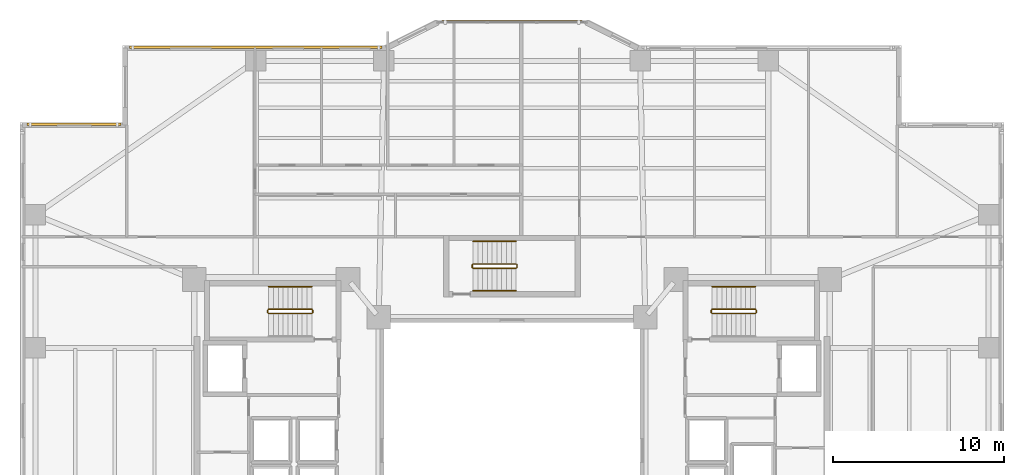
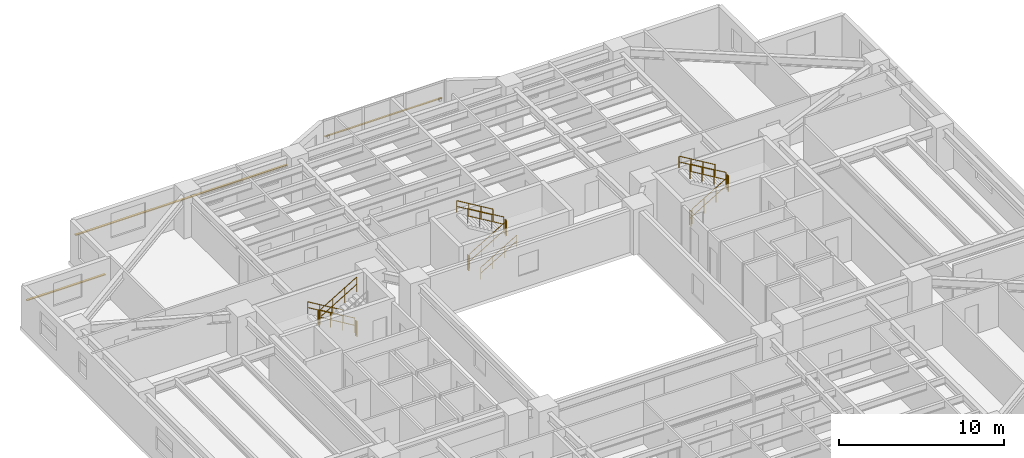
# One storey, part 18 of 19: 16 railings, 3 shading devices.
"""IFC4 building model written with IfcOpenShell, lengths in metres."""

from ifc_helpers import new_model, si_unit, direction, frame, origin, origin_2d, place, context, subcontext, project, spatial, rectangle, circle, extrude, material, material_profile, profile_set, type_object, element, save


model = new_model("IFC4")

# Units and contexts
model_context = context("Model", 3, precision=1e-05, world=origin(), true_north=direction((0.0, 1.0)))
body_context = subcontext(model_context, "Body", "Model", "MODEL_VIEW")
ifc_project = project(units=[si_unit("LENGTHUNIT", "METRE"), si_unit("AREAUNIT", "SQUARE_METRE"), si_unit("VOLUMEUNIT", "CUBIC_METRE"), si_unit("PLANEANGLEUNIT", "RADIAN"), si_unit("MASSUNIT", "GRAM", prefix="KILO")], contexts=[model_context])

# Site, building, storey
site_placement = place(None, origin())
site = spatial("IfcSite", under=ifc_project, at=site_placement, CompositionType="ELEMENT")
building_placement = place(site_placement, origin())
building = spatial("IfcBuilding", under=site, at=building_placement, Name="Tarnavaz Court Tower", CompositionType="ELEMENT")
storey_placement = place(building_placement, frame((0.0, 0.0, 54.14990234375)))
storey = spatial("IfcBuildingStorey", under=building, at=storey_placement, Name="L14", CompositionType="ELEMENT", Elevation=54.14990234375)

# Railings
ifc_material_1 = material(Name="Brushed Stainless Steel", Category="steel")
railing_type_1 = type_object("IfcRailingType", Name="RL-HANDRAIL-900", PredefinedType="HANDRAIL", material=ifc_material_1)
for number, where, name in (
    (1, (-11.719970703125, 9.590087890625, 0.16748046875), "L14 ST-W1 stair handrail 1"),
    (2, (14.239990234375, 9.590087890625, 1.842529296875), "L14 ST-E1 stair handrail 2"),
):
    element("IfcRailing", number, at=place(storey_placement, frame(where)), inside=storey, type_object=railing_type_1, Name=name, PredefinedType="HANDRAIL", context=body_context, shape_type="SweptSolid", body=[
        extrude(circle(Radius=0.02392578125, at=origin_2d()), frame((0.0, 0.0, 0.8759765625), z_axis=(-0.858159760407, 0.0, 0.513382728203), x_axis=(0.0, -1.0, 0.0)), (0.0, 0.0, 1.0), 2.9365234375),
        extrude(circle(Radius=0.02392578125, at=origin_2d()), frame((0.0, 0.0, 0.449951171875), z_axis=(-0.858159760407, 0.0, 0.513382728203), x_axis=(0.0, -1.0, 0.0)), (0.0, 0.0, 1.0), 2.9365234375),
        extrude(circle(Radius=0.02099609375, at=origin_2d()), origin(), (0.0, 0.0, 1.0), 0.851806640625),
        extrude(circle(Radius=0.02099609375, at=origin_2d()), frame((-0.840087890625, 0.0, 0.50244140625)), (0.0, 0.0, 1.0), 0.851806640625),
        extrude(circle(Radius=0.02099609375, at=origin_2d()), frame((-1.679931640625, 0.0, 1.005126953125)), (0.0, 0.0, 1.0), 0.851806640625),
        extrude(circle(Radius=0.02099609375, at=origin_2d()), frame((-2.52001953125, 0.0, 1.507568359375)), (0.0, 0.0, 1.0), 0.851806640625),
    ])
railing_1_placement = place(storey_placement, frame((-2.280029296875, 9.35009765625, 0.16748046875)))
element("IfcRailing", 3, at=railing_1_placement, inside=storey, type_object=railing_type_1, Name="L14 ST-N1 stair handrail 1", PredefinedType="HANDRAIL", context=body_context, shape_type="SweptSolid", body=[
    extrude(circle(Radius=0.02392578125, at=origin_2d()), frame((0.0, 0.0, 0.8759765625), z_axis=(0.858159760407, 0.0, 0.513382728203), x_axis=(0.0, 1.0, 0.0)), (0.0, 0.0, 1.0), 2.9365234375),
    extrude(circle(Radius=0.02392578125, at=origin_2d()), frame((0.0, 0.0, 0.449951171875), z_axis=(0.858159760407, 0.0, 0.513382728203), x_axis=(0.0, 1.0, 0.0)), (0.0, 0.0, 1.0), 2.9365234375),
    extrude(circle(Radius=0.02099609375, at=origin_2d()), origin(), (0.0, 0.0, 1.0), 0.851806640625),
    extrude(circle(Radius=0.02099609375, at=origin_2d()), frame((0.840087890625, 0.0, 0.50244140625)), (0.0, 0.0, 1.0), 0.851806640625),
    extrude(circle(Radius=0.02099609375, at=origin_2d()), frame((1.679931640625, 0.0, 1.005126953125)), (0.0, 0.0, 1.0), 0.851806640625),
    extrude(circle(Radius=0.02099609375, at=origin_2d()), frame((2.52001953125, 0.0, 1.507568359375)), (0.0, 0.0, 1.0), 0.851806640625),
])
railing_2_placement = place(storey_placement, frame((0.239990234375, 12.239990234375, 1.842529296875)))
element("IfcRailing", 4, at=railing_2_placement, inside=storey, type_object=railing_type_1, Name="L14 ST-N1 stair handrail 2", PredefinedType="HANDRAIL", context=body_context, shape_type="SweptSolid", body=[
    extrude(circle(Radius=0.02392578125, at=origin_2d()), frame((0.0, 0.0, 0.8759765625), z_axis=(-0.858159760407, 0.0, 0.513382728203), x_axis=(0.0, -1.0, 0.0)), (0.0, 0.0, 1.0), 2.9365234375),
    extrude(circle(Radius=0.02392578125, at=origin_2d()), frame((0.0, 0.0, 0.449951171875), z_axis=(-0.858159760407, 0.0, 0.513382728203), x_axis=(0.0, -1.0, 0.0)), (0.0, 0.0, 1.0), 2.9365234375),
    extrude(circle(Radius=0.02099609375, at=origin_2d()), origin(), (0.0, 0.0, 1.0), 0.851806640625),
    extrude(circle(Radius=0.02099609375, at=origin_2d()), frame((-0.840087890625, 0.0, 0.50244140625)), (0.0, 0.0, 1.0), 0.851806640625),
    extrude(circle(Radius=0.02099609375, at=origin_2d()), frame((-1.679931640625, 0.0, 1.005126953125)), (0.0, 0.0, 1.0), 0.851806640625),
    extrude(circle(Radius=0.02099609375, at=origin_2d()), frame((-2.52001953125, 0.0, 1.507568359375)), (0.0, 0.0, 1.0), 0.851806640625),
])
ifc_material_2 = material(Name="Galvanized Painted Tubular Steel", Category="steel")
railing_type_2 = type_object("IfcRailingType", Name="RL-STGUARD-1120", PredefinedType="GUARDRAIL", material=ifc_material_2)
railing_3_placement = place(storey_placement, frame((-11.719970703125, 8.27001953125, 0.16748046875)))
element("IfcRailing", 5, at=railing_3_placement, inside=storey, type_object=railing_type_2, Name="L14 ST-W1 stair guard 1", PredefinedType="GUARDRAIL", context=body_context, shape_type="SweptSolid", body=[
    extrude(circle(Radius=0.02392578125, at=origin_2d()), frame((0.0, 0.0, 1.09619140625), z_axis=(-0.858159760407, 0.0, 0.513382728203), x_axis=(0.0, -1.0, 0.0)), (0.0, 0.0, 1.0), 2.9365234375),
    extrude(circle(Radius=0.02392578125, at=origin_2d()), frame((0.0, 0.0, 0.56005859375), z_axis=(-0.858159760407, 0.0, 0.513382728203), x_axis=(0.0, -1.0, 0.0)), (0.0, 0.0, 1.0), 2.9365234375),
    extrude(circle(Radius=0.02099609375, at=origin_2d()), origin(), (0.0, 0.0, 1.0), 1.072021484375),
    extrude(circle(Radius=0.02099609375, at=origin_2d()), frame((-0.840087890625, 0.0, 0.50244140625)), (0.0, 0.0, 1.0), 1.072021484375),
    extrude(circle(Radius=0.02099609375, at=origin_2d()), frame((-1.679931640625, 0.0, 1.005126953125)), (0.0, 0.0, 1.0), 1.072021484375),
    extrude(circle(Radius=0.02099609375, at=origin_2d()), frame((-2.52001953125, 0.0, 1.507568359375)), (0.0, 0.0, 1.0), 1.072021484375),
])
railing_4_placement = place(storey_placement, frame((-14.2900390625, 8.219970703125, 1.675048828125)))
element("IfcRailing", 6, at=railing_4_placement, inside=storey, type_object=railing_type_2, Name="L14 ST-W1 stair guard 2", PredefinedType="GUARDRAIL", context=body_context, shape_type="SweptSolid", body=[
    extrude(circle(Radius=0.02392578125, at=origin_2d()), frame((0.0, 0.0, 1.09619140625), z_axis=(0.0, -1.0, 0.0), x_axis=(1.0, 0.0, 0.0)), (0.0, 0.0, 1.0), 0.14990234375),
    extrude(circle(Radius=0.02392578125, at=origin_2d()), frame((0.0, 0.0, 0.56005859375), z_axis=(0.0, -1.0, 0.0), x_axis=(1.0, 0.0, 0.0)), (0.0, 0.0, 1.0), 0.14990234375),
    extrude(circle(Radius=0.02099609375, at=origin_2d()), origin(), (0.0, 0.0, 1.0), 1.072021484375),
    extrude(circle(Radius=0.02099609375, at=origin_2d()), frame((0.0, -0.14990234375, 0.0)), (0.0, 0.0, 1.0), 1.072021484375),
])
railing_5_placement = place(storey_placement, frame((-14.239990234375, 8.02001953125, 1.842529296875)))
element("IfcRailing", 7, at=railing_5_placement, inside=storey, type_object=railing_type_2, Name="L14 ST-W1 stair guard 3", PredefinedType="GUARDRAIL", context=body_context, shape_type="SweptSolid", body=[
    extrude(circle(Radius=0.02392578125, at=origin_2d()), frame((0.0, 0.0, 1.09619140625), z_axis=(0.858159760407, 0.0, 0.513382728203), x_axis=(0.0, 1.0, 0.0)), (0.0, 0.0, 1.0), 2.9365234375),
    extrude(circle(Radius=0.02392578125, at=origin_2d()), frame((0.0, 0.0, 0.56005859375), z_axis=(0.858159760407, 0.0, 0.513382728203), x_axis=(0.0, 1.0, 0.0)), (0.0, 0.0, 1.0), 2.9365234375),
    extrude(circle(Radius=0.02099609375, at=origin_2d()), origin(), (0.0, 0.0, 1.0), 1.072021484375),
    extrude(circle(Radius=0.02099609375, at=origin_2d()), frame((0.840087890625, 0.0, 0.50244140625)), (0.0, 0.0, 1.0), 1.072021484375),
    extrude(circle(Radius=0.02099609375, at=origin_2d()), frame((1.679931640625, 0.0, 1.005126953125)), (0.0, 0.0, 1.0), 1.072021484375),
    extrude(circle(Radius=0.02099609375, at=origin_2d()), frame((2.52001953125, 0.0, 1.507568359375)), (0.0, 0.0, 1.0), 1.072021484375),
])
railing_6_placement = place(storey_placement, frame((-11.669921875, 8.219970703125, 0.0)))
element("IfcRailing", 8, at=railing_6_placement, inside=storey, type_object=railing_type_2, Name="L14 ST-W1 stair guard 4", PredefinedType="GUARDRAIL", context=body_context, shape_type="SweptSolid", body=[
    extrude(circle(Radius=0.02392578125, at=origin_2d()), frame((0.0, 0.0, 1.09619140625), z_axis=(0.0, -1.0, 0.0), x_axis=(1.0, 0.0, 0.0)), (0.0, 0.0, 1.0), 0.14990234375),
    extrude(circle(Radius=0.02392578125, at=origin_2d()), frame((0.0, 0.0, 0.56005859375), z_axis=(0.0, -1.0, 0.0), x_axis=(1.0, 0.0, 0.0)), (0.0, 0.0, 1.0), 0.14990234375),
    extrude(circle(Radius=0.02099609375, at=origin_2d()), origin(), (0.0, 0.0, 1.0), 1.072021484375),
    extrude(circle(Radius=0.02099609375, at=origin_2d()), frame((0.0, -0.14990234375, 0.0)), (0.0, 0.0, 1.0), 1.072021484375),
])
railing_7_placement = place(storey_placement, frame((11.719970703125, 8.02001953125, 0.16748046875)))
element("IfcRailing", 9, at=railing_7_placement, inside=storey, type_object=railing_type_2, Name="L14 ST-E1 stair guard 1", PredefinedType="GUARDRAIL", context=body_context, shape_type="SweptSolid", body=[
    extrude(circle(Radius=0.02392578125, at=origin_2d()), frame((0.0, 0.0, 1.09619140625), z_axis=(0.858159760407, 0.0, 0.513382728203), x_axis=(0.0, 1.0, 0.0)), (0.0, 0.0, 1.0), 2.9365234375),
    extrude(circle(Radius=0.02392578125, at=origin_2d()), frame((0.0, 0.0, 0.56005859375), z_axis=(0.858159760407, 0.0, 0.513382728203), x_axis=(0.0, 1.0, 0.0)), (0.0, 0.0, 1.0), 2.9365234375),
    extrude(circle(Radius=0.02099609375, at=origin_2d()), origin(), (0.0, 0.0, 1.0), 1.072021484375),
    extrude(circle(Radius=0.02099609375, at=origin_2d()), frame((0.840087890625, 0.0, 0.50244140625)), (0.0, 0.0, 1.0), 1.072021484375),
    extrude(circle(Radius=0.02099609375, at=origin_2d()), frame((1.679931640625, 0.0, 1.005126953125)), (0.0, 0.0, 1.0), 1.072021484375),
    extrude(circle(Radius=0.02099609375, at=origin_2d()), frame((2.52001953125, 0.0, 1.507568359375)), (0.0, 0.0, 1.0), 1.072021484375),
])
railing_8_placement = place(storey_placement, frame((14.2900390625, 8.070068359375, 1.675048828125)))
element("IfcRailing", 10, at=railing_8_placement, inside=storey, type_object=railing_type_2, Name="L14 ST-E1 stair guard 2", PredefinedType="GUARDRAIL", context=body_context, shape_type="SweptSolid", body=[
    extrude(circle(Radius=0.02392578125, at=origin_2d()), frame((0.0, 0.0, 1.09619140625), z_axis=(0.0, 1.0, 0.0), x_axis=(-1.0, 0.0, 0.0)), (0.0, 0.0, 1.0), 0.14990234375),
    extrude(circle(Radius=0.02392578125, at=origin_2d()), frame((0.0, 0.0, 0.56005859375), z_axis=(0.0, 1.0, 0.0), x_axis=(-1.0, 0.0, 0.0)), (0.0, 0.0, 1.0), 0.14990234375),
    extrude(circle(Radius=0.02099609375, at=origin_2d()), origin(), (0.0, 0.0, 1.0), 1.072021484375),
    extrude(circle(Radius=0.02099609375, at=origin_2d()), frame((0.0, 0.14990234375, 0.0)), (0.0, 0.0, 1.0), 1.072021484375),
])
railing_9_placement = place(storey_placement, frame((14.239990234375, 8.27001953125, 1.842529296875)))
element("IfcRailing", 11, at=railing_9_placement, inside=storey, type_object=railing_type_2, Name="L14 ST-E1 stair guard 3", PredefinedType="GUARDRAIL", context=body_context, shape_type="SweptSolid", body=[
    extrude(circle(Radius=0.02392578125, at=origin_2d()), frame((0.0, 0.0, 1.09619140625), z_axis=(-0.858159760407, 0.0, 0.513382728203), x_axis=(0.0, -1.0, 0.0)), (0.0, 0.0, 1.0), 2.9365234375),
    extrude(circle(Radius=0.02392578125, at=origin_2d()), frame((0.0, 0.0, 0.56005859375), z_axis=(-0.858159760407, 0.0, 0.513382728203), x_axis=(0.0, -1.0, 0.0)), (0.0, 0.0, 1.0), 2.9365234375),
    extrude(circle(Radius=0.02099609375, at=origin_2d()), origin(), (0.0, 0.0, 1.0), 1.072021484375),
    extrude(circle(Radius=0.02099609375, at=origin_2d()), frame((-0.840087890625, 0.0, 0.50244140625)), (0.0, 0.0, 1.0), 1.072021484375),
    extrude(circle(Radius=0.02099609375, at=origin_2d()), frame((-1.679931640625, 0.0, 1.005126953125)), (0.0, 0.0, 1.0), 1.072021484375),
    extrude(circle(Radius=0.02099609375, at=origin_2d()), frame((-2.52001953125, 0.0, 1.507568359375)), (0.0, 0.0, 1.0), 1.072021484375),
])
railing_10_placement = place(storey_placement, frame((11.669921875, 8.070068359375, 0.0)))
element("IfcRailing", 12, at=railing_10_placement, inside=storey, type_object=railing_type_2, Name="L14 ST-E1 stair guard 4", PredefinedType="GUARDRAIL", context=body_context, shape_type="SweptSolid", body=[
    extrude(circle(Radius=0.02392578125, at=origin_2d()), frame((0.0, 0.0, 1.09619140625), z_axis=(0.0, 1.0, 0.0), x_axis=(-1.0, 0.0, 0.0)), (0.0, 0.0, 1.0), 0.14990234375),
    extrude(circle(Radius=0.02392578125, at=origin_2d()), frame((0.0, 0.0, 0.56005859375), z_axis=(0.0, 1.0, 0.0), x_axis=(-1.0, 0.0, 0.0)), (0.0, 0.0, 1.0), 0.14990234375),
    extrude(circle(Radius=0.02099609375, at=origin_2d()), origin(), (0.0, 0.0, 1.0), 1.072021484375),
    extrude(circle(Radius=0.02099609375, at=origin_2d()), frame((0.0, 0.14990234375, 0.0)), (0.0, 0.0, 1.0), 1.072021484375),
])
railing_11_placement = place(storey_placement, frame((-2.280029296875, 10.669921875, 0.16748046875)))
element("IfcRailing", 13, at=railing_11_placement, inside=storey, type_object=railing_type_2, Name="L14 ST-N1 stair guard 1", PredefinedType="GUARDRAIL", context=body_context, shape_type="SweptSolid", body=[
    extrude(circle(Radius=0.02392578125, at=origin_2d()), frame((0.0, 0.0, 1.09619140625), z_axis=(0.858159760407, 0.0, 0.513382728203), x_axis=(0.0, 1.0, 0.0)), (0.0, 0.0, 1.0), 2.9365234375),
    extrude(circle(Radius=0.02392578125, at=origin_2d()), frame((0.0, 0.0, 0.56005859375), z_axis=(0.858159760407, 0.0, 0.513382728203), x_axis=(0.0, 1.0, 0.0)), (0.0, 0.0, 1.0), 2.9365234375),
    extrude(circle(Radius=0.02099609375, at=origin_2d()), origin(), (0.0, 0.0, 1.0), 1.072021484375),
    extrude(circle(Radius=0.02099609375, at=origin_2d()), frame((0.840087890625, 0.0, 0.50244140625)), (0.0, 0.0, 1.0), 1.072021484375),
    extrude(circle(Radius=0.02099609375, at=origin_2d()), frame((1.679931640625, 0.0, 1.005126953125)), (0.0, 0.0, 1.0), 1.072021484375),
    extrude(circle(Radius=0.02099609375, at=origin_2d()), frame((2.52001953125, 0.0, 1.507568359375)), (0.0, 0.0, 1.0), 1.072021484375),
])
railing_12_placement = place(storey_placement, frame((0.2900390625, 10.719970703125, 1.675048828125)))
element("IfcRailing", 14, at=railing_12_placement, inside=storey, type_object=railing_type_2, Name="L14 ST-N1 stair guard 2", PredefinedType="GUARDRAIL", context=body_context, shape_type="SweptSolid", body=[
    extrude(circle(Radius=0.02392578125, at=origin_2d()), frame((0.0, 0.0, 1.09619140625), z_axis=(0.0, 1.0, 0.0), x_axis=(-1.0, 0.0, 0.0)), (0.0, 0.0, 1.0), 0.150146484375),
    extrude(circle(Radius=0.02392578125, at=origin_2d()), frame((0.0, 0.0, 0.56005859375), z_axis=(0.0, 1.0, 0.0), x_axis=(-1.0, 0.0, 0.0)), (0.0, 0.0, 1.0), 0.150146484375),
    extrude(circle(Radius=0.02099609375, at=origin_2d()), origin(), (0.0, 0.0, 1.0), 1.072021484375),
    extrude(circle(Radius=0.02099609375, at=origin_2d()), frame((0.0, 0.150146484375, 0.0)), (0.0, 0.0, 1.0), 1.072021484375),
])
railing_13_placement = place(storey_placement, frame((0.239990234375, 10.919921875, 1.842529296875)))
element("IfcRailing", 15, at=railing_13_placement, inside=storey, type_object=railing_type_2, Name="L14 ST-N1 stair guard 3", PredefinedType="GUARDRAIL", context=body_context, shape_type="SweptSolid", body=[
    extrude(circle(Radius=0.02392578125, at=origin_2d()), frame((0.0, 0.0, 1.09619140625), z_axis=(-0.858159760407, 0.0, 0.513382728203), x_axis=(0.0, -1.0, 0.0)), (0.0, 0.0, 1.0), 2.9365234375),
    extrude(circle(Radius=0.02392578125, at=origin_2d()), frame((0.0, 0.0, 0.56005859375), z_axis=(-0.858159760407, 0.0, 0.513382728203), x_axis=(0.0, -1.0, 0.0)), (0.0, 0.0, 1.0), 2.9365234375),
    extrude(circle(Radius=0.02099609375, at=origin_2d()), origin(), (0.0, 0.0, 1.0), 1.072021484375),
    extrude(circle(Radius=0.02099609375, at=origin_2d()), frame((-0.840087890625, 0.0, 0.50244140625)), (0.0, 0.0, 1.0), 1.072021484375),
    extrude(circle(Radius=0.02099609375, at=origin_2d()), frame((-1.679931640625, 0.0, 1.005126953125)), (0.0, 0.0, 1.0), 1.072021484375),
    extrude(circle(Radius=0.02099609375, at=origin_2d()), frame((-2.52001953125, 0.0, 1.507568359375)), (0.0, 0.0, 1.0), 1.072021484375),
])
railing_14_placement = place(storey_placement, frame((-2.330078125, 10.719970703125, 0.0)))
element("IfcRailing", 16, at=railing_14_placement, inside=storey, type_object=railing_type_2, Name="L14 ST-N1 stair guard 4", PredefinedType="GUARDRAIL", context=body_context, shape_type="SweptSolid", body=[
    extrude(circle(Radius=0.02392578125, at=origin_2d()), frame((0.0, 0.0, 1.09619140625), z_axis=(0.0, 1.0, 0.0), x_axis=(-1.0, 0.0, 0.0)), (0.0, 0.0, 1.0), 0.150146484375),
    extrude(circle(Radius=0.02392578125, at=origin_2d()), frame((0.0, 0.0, 0.56005859375), z_axis=(0.0, 1.0, 0.0), x_axis=(-1.0, 0.0, 0.0)), (0.0, 0.0, 1.0), 0.150146484375),
    extrude(circle(Radius=0.02099609375, at=origin_2d()), origin(), (0.0, 0.0, 1.0), 1.072021484375),
    extrude(circle(Radius=0.02099609375, at=origin_2d()), frame((0.0, 0.150146484375, 0.0)), (0.0, 0.0, 1.0), 1.072021484375),
])

# Shading devices
ifc_material_3 = material(Name="Kiln-Fired Khorasan Terracotta Ceramic", Category="masonry")
ifc_material_profile_1 = material_profile(ifc_material_3, rectangle(XDim=0.1201171875, YDim=0.06005859375, at=origin_2d()), Name="TC BAGUETTE 120X60")
ifc_profile_set_1 = profile_set([ifc_material_profile_1], Name="Kiln-Fired Khorasan Terracotta Ceramic")
shading_device_type_1 = type_object("IfcShadingDeviceType", Name="SD-BAG-120", PredefinedType="USERDEFINED", material=ifc_profile_set_1)
shading_device_1_placement = place(storey_placement, frame((-4.10009765625, 25.110107421875, 1.800048828125), z_axis=(1.0, 0.0, 0.0), x_axis=(0.0, 1.0, 0.0)))
element("IfcShadingDevice", 17, at=shading_device_1_placement, inside=storey, type_object=shading_device_type_1, Name="L14 Terracotta Baguette Screen PBG7", ObjectType="BAGUETTE", PredefinedType="USERDEFINED", context=body_context, shape_type="SweptSolid", body=[
    extrude(rectangle(XDim=0.1201171875, YDim=0.06005859375, at=origin_2d()), origin(), (0.0, 0.0, 1.0), 8.2001953125),
])
ifc_material_profile_2 = material_profile(ifc_material_3, rectangle(XDim=0.14990234375, YDim=0.06494140625, at=origin_2d()), Name="TC BAGUETTE 150X65")
ifc_profile_set_2 = profile_set([ifc_material_profile_2], Name="Kiln-Fired Khorasan Terracotta Ceramic")
shading_device_type_2 = type_object("IfcShadingDeviceType", Name="SD-BAG-150", PredefinedType="USERDEFINED", material=ifc_profile_set_2)
shading_device_2_placement = place(storey_placement, frame((-28.39990234375, 19.110107421875, 1.85009765625), z_axis=(1.0, 0.0, 0.0), x_axis=(0.0, 1.0, 0.0)))
element("IfcShadingDevice", 18, at=shading_device_2_placement, inside=storey, type_object=shading_device_type_2, Name="L14 Terracotta Baguette Screen FBG03", ObjectType="BAGUETTE", PredefinedType="USERDEFINED", context=body_context, shape_type="SweptSolid", body=[
    extrude(rectangle(XDim=0.14990234375, YDim=0.06494140625, at=origin_2d()), origin(), (0.0, 0.0, 1.0), 5.5),
])
shading_device_3_placement = place(storey_placement, frame((-22.39990234375, 23.610107421875, 1.85009765625), z_axis=(1.0, 0.0, 0.0), x_axis=(0.0, 1.0, 0.0)))
element("IfcShadingDevice", 19, at=shading_device_3_placement, inside=storey, type_object=shading_device_type_2, Name="L14 Terracotta Baguette Screen FBG05", ObjectType="BAGUETTE", PredefinedType="USERDEFINED", context=body_context, shape_type="SweptSolid", body=[
    extrude(rectangle(XDim=0.14990234375, YDim=0.06494140625, at=origin_2d()), origin(), (0.0, 0.0, 1.0), 14.7998046875),
])

save(model, "model.ifc")
